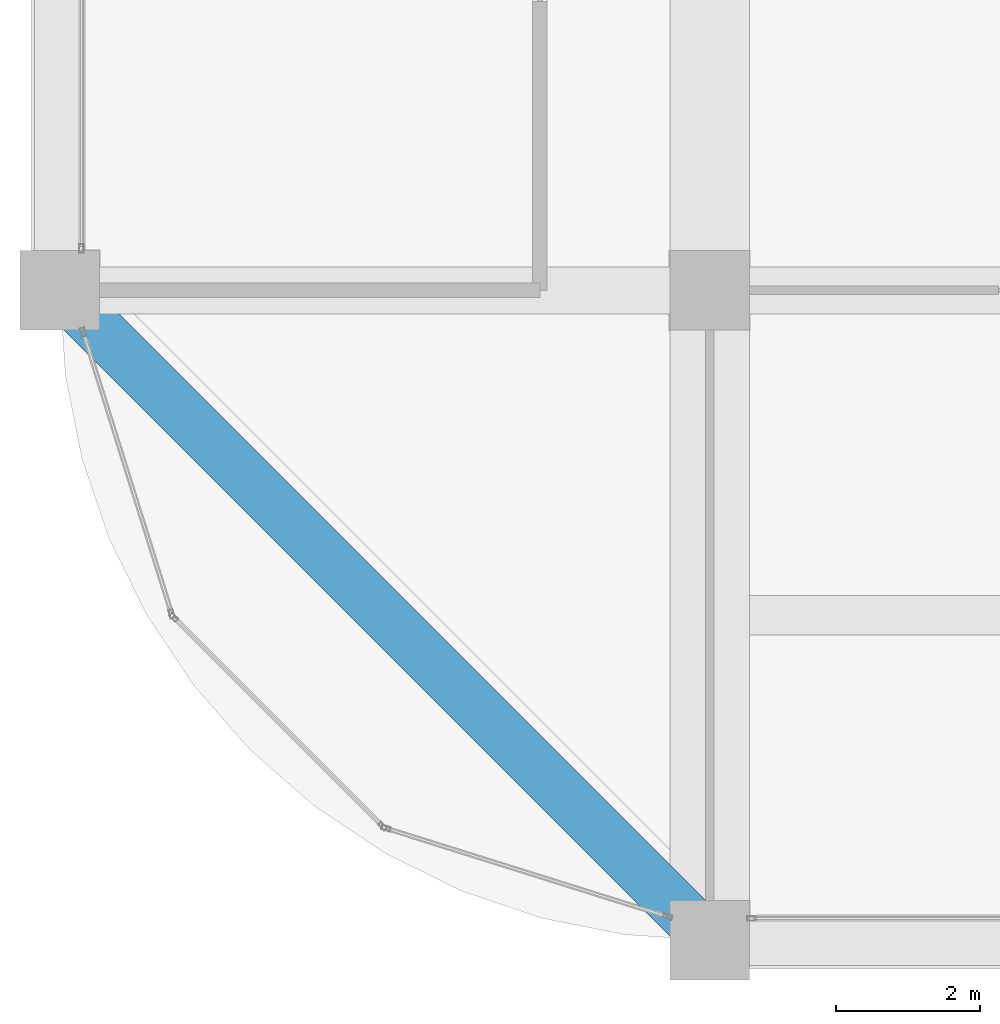
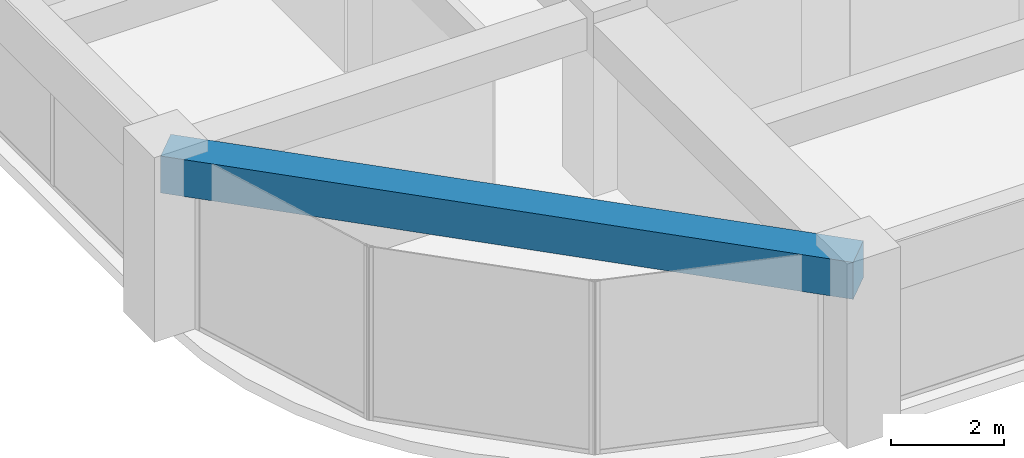
# One storey, part 3 of 44: 1 beam.
"""IFC4 building model written with IfcOpenShell, lengths in metres."""

from ifc_helpers import new_model, si_unit, direction, frame, origin, origin_2d, place, context, subcontext, project, spatial, rectangle, extrude, material, material_profile, profile_set, type_object, element, save


model = new_model("IFC4")

# Units and contexts
model_context = context("Model", 3, precision=1e-05, world=origin(), true_north=direction((0.0, 1.0)))
body_context = subcontext(model_context, "Body", "Model", "MODEL_VIEW")
ifc_project = project(units=[si_unit("LENGTHUNIT", "METRE"), si_unit("AREAUNIT", "SQUARE_METRE"), si_unit("VOLUMEUNIT", "CUBIC_METRE"), si_unit("PLANEANGLEUNIT", "RADIAN"), si_unit("MASSUNIT", "GRAM", prefix="KILO")], contexts=[model_context])

# Site, building, storey
site_placement = place(None, origin())
site = spatial("IfcSite", under=ifc_project, at=site_placement, CompositionType="ELEMENT")
building_placement = place(site_placement, origin())
building = spatial("IfcBuilding", under=site, at=building_placement, Name="Zorevar Civic Tower", CompositionType="ELEMENT")
storey_placement = place(building_placement, frame((0.0, 0.0, 263.39990234375)))
storey = spatial("IfcBuildingStorey", under=building, at=storey_placement, Name="L64", CompositionType="ELEMENT", Elevation=263.39990234375)

# Beam
ifc_material = material(Name="Concrete C50/60", Category="concrete")
ifc_material_profile = material_profile(ifc_material, rectangle(XDim=0.699951171875, YDim=0.800048828125, at=origin_2d()), Name="RC 700x800")
ifc_profile_set = profile_set([ifc_material_profile], Name="Concrete C50/60")
beam_type = type_object("IfcBeamType", Name="Edge beam RC 700x800", PredefinedType="SPANDREL", material=ifc_profile_set)
beam_placement = place(storey_placement, frame((9.0, 9.0, 3.35009765625), z_axis=(0.707106781187, -0.707106781187, 0.0), x_axis=(0.707106781187, 0.707106781187, 0.0)))
element("IfcBeam", 1, at=beam_placement, inside=storey, type_object=beam_type, Name="Corner edge beam L65", PredefinedType="SPANDREL", context=body_context, shape_type="SweptSolid", body=[
    extrude(rectangle(XDim=0.699951171875, YDim=0.800048828125, at=origin_2d()), origin(), (0.0, 0.0, 1.0), 12.72802734375),
])

save(model, "model.ifc")
